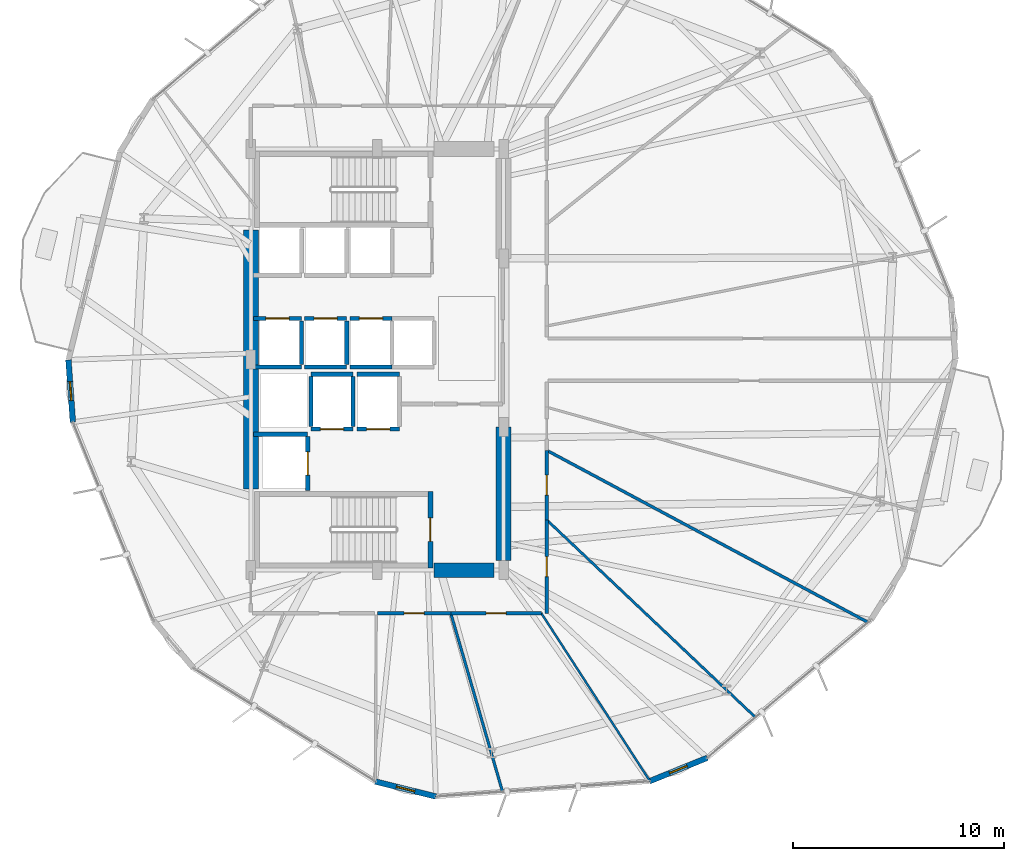
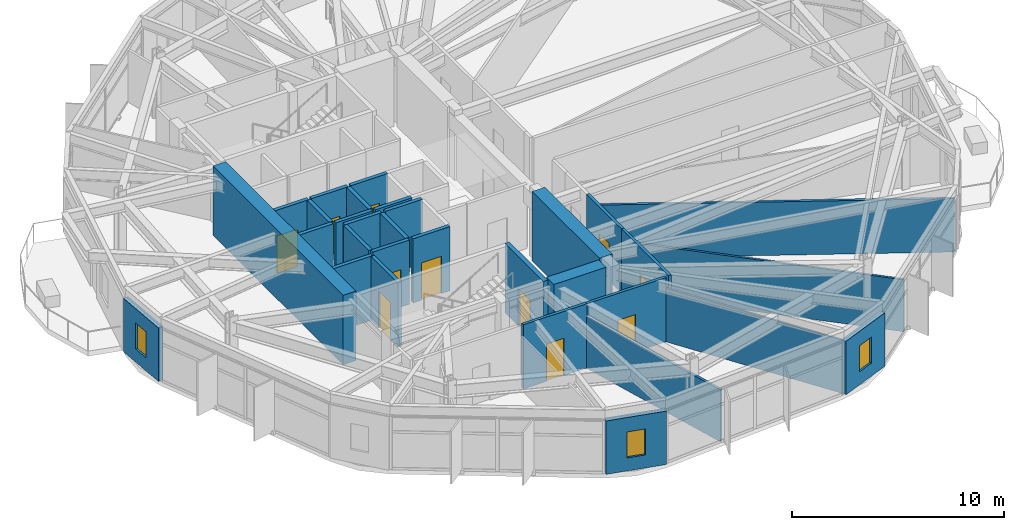
# One storey, part 16 of 22: 31 walls, 11 doors, 3 windows, 14 openings.
"""IFC4 building model written with IfcOpenShell, lengths in metres."""

from ifc_helpers import new_model, si_unit, direction, frame, frame_2d, origin, place, context, subcontext, project, spatial, rectangle, extrude, material, layer, layer_set, type_object, element, fill, save


model = new_model("IFC4")

# Units and contexts
model_context = context("Model", 3, precision=1e-05, world=origin(), true_north=direction((0.0, 1.0)))
body_context = subcontext(model_context, "Body", "Model", "MODEL_VIEW")
ifc_project = project(units=[si_unit("LENGTHUNIT", "METRE"), si_unit("AREAUNIT", "SQUARE_METRE"), si_unit("VOLUMEUNIT", "CUBIC_METRE"), si_unit("PLANEANGLEUNIT", "RADIAN"), si_unit("MASSUNIT", "GRAM", prefix="KILO")], contexts=[model_context])

# Site, building, storey
site_placement = place(None, origin())
site = spatial("IfcSite", under=ifc_project, at=site_placement, CompositionType="ELEMENT")
building_placement = place(site_placement, origin())
building = spatial("IfcBuilding", under=site, at=building_placement, Name="Soratama Intermodal Tower", CompositionType="ELEMENT")
storey_placement = place(building_placement, frame((0.0, 0.0, 42.60009765625)))
storey = spatial("IfcBuildingStorey", under=building, at=storey_placement, Name="L09", CompositionType="ELEMENT", Elevation=42.60009765625)

# Wall, opening, window
ifc_material_1 = material(Name="Concrete f'c 42 MPa", Category="concrete")
ifc_layer_1 = layer(ifc_material_1, 0.27001953125)
ifc_layer_set_1 = layer_set([ifc_layer_1], Name="Concrete f'c 42 MPa")
wall_type_1 = type_object("IfcWallType", Name="EW-CRN-270", PredefinedType="SOLIDWALL", material=ifc_layer_set_1)
wall_1_placement = place(storey_placement, frame((23.93505859375, 24.984619140625, 0.0), z_axis=(0.0, 0.0, 1.0), x_axis=(0.071100844018, -0.997469132344, 0.0)))
wall_1 = element("IfcWall", 1, at=wall_1_placement, inside=storey, type_object=wall_type_1, Name="L09 Corner Closure Wall 05", PredefinedType="SOLIDWALL", context=body_context, shape_type="SweptSolid", body=[
    extrude(rectangle(XDim=2.966796875, YDim=0.27001953125, at=frame_2d((1.4833984375, 0.0))), origin(), (0.0, 0.0, 1.0), 3.078857421875),
])
opening_1_placement = place(wall_1_placement, frame((1.033203125, 0.0, 0.75)))
opening_1 = element("IfcOpeningElement", 2, at=opening_1_placement, cuts=wall_1, Name="Opening WN-6", PredefinedType="OPENING", context=body_context, shape_type="SweptSolid", body=[
    extrude(rectangle(XDim=0.89990234375, YDim=1.5, at=frame_2d((0.449951171875, 0.75))), frame((0.0, 0.14501953125, 0.0), z_axis=(0.0, -1.0, 0.0), x_axis=(1.0, 0.0, 0.0)), (0.0, 0.0, 1.0), 0.2900390625),
])
ifc_material_2 = material(Name="Double-glazed aluminium window", Category="aluminium")
window_type = type_object("IfcWindowType", Name="WN-FAC-900", PartitioningType="SINGLE_PANEL", PredefinedType="WINDOW", material=ifc_material_2)
window_1_placement = place(opening_1_placement, origin())
window_1 = element("IfcWindow", 3, at=window_1_placement, inside=storey, type_object=window_type, Name="L09 Corner Window 05", OverallHeight=1.5, OverallWidth=0.89990234375, PartitioningType="SINGLE_PANEL", PredefinedType="WINDOW", context=body_context, shape_type="SweptSolid", body=[
    extrude(rectangle(XDim=0.89990234375, YDim=1.5, at=frame_2d((0.449951171875, 0.75))), frame((0.0, 0.030029296875, 0.0), z_axis=(0.0, -1.0, 0.0), x_axis=(1.0, 0.0, 0.0)), (0.0, 0.0, 1.0), 0.06005859375),
])
fill(opening_1, window_1)

wall_2_placement = place(storey_placement, frame((38.50537109375, 4.961181640625, 0.0), z_axis=(0.0, 0.0, 1.0), x_axis=(0.970634283387, -0.240559946612, 0.0)))
wall_2 = element("IfcWall", 4, at=wall_2_placement, inside=storey, type_object=wall_type_1, Name="L09 Corner Closure Wall 07", PredefinedType="SOLIDWALL", context=body_context, shape_type="SweptSolid", body=[
    extrude(rectangle(XDim=2.966552734375, YDim=0.27001953125, at=frame_2d((1.4833984375, 0.0))), origin(), (0.0, 0.0, 1.0), 3.078857421875),
])
opening_2_placement = place(wall_2_placement, frame((1.033203125, 0.0, 0.75)))
opening_2 = element("IfcOpeningElement", 5, at=opening_2_placement, cuts=wall_2, Name="Opening WN-6", PredefinedType="OPENING", context=body_context, shape_type="SweptSolid", body=[
    extrude(rectangle(XDim=0.89990234375, YDim=1.5, at=frame_2d((0.449951171875, 0.75))), frame((0.0, 0.14501953125, 0.0), z_axis=(0.0, -1.0, 0.0), x_axis=(1.0, 0.0, 0.0)), (0.0, 0.0, 1.0), 0.2900390625),
])
window_2_placement = place(opening_2_placement, origin())
window_2 = element("IfcWindow", 6, at=window_2_placement, inside=storey, type_object=window_type, Name="L09 Corner Window 07", OverallHeight=1.5, OverallWidth=0.89990234375, PartitioningType="SINGLE_PANEL", PredefinedType="WINDOW", context=body_context, shape_type="SweptSolid", body=[
    extrude(rectangle(XDim=0.89990234375, YDim=1.5, at=frame_2d((0.449951171875, 0.75))), frame((0.0, 0.030029296875, 0.0), z_axis=(0.0, -1.0, 0.0), x_axis=(1.0, 0.0, 0.0)), (0.0, 0.0, 1.0), 0.06005859375),
])
fill(opening_2, window_2)

wall_3_placement = place(storey_placement, frame((51.524169921875, 4.970703125, 0.0), z_axis=(0.0, 0.0, 1.0), x_axis=(0.926649408299, 0.375926687132, 0.0)))
wall_3 = element("IfcWall", 7, at=wall_3_placement, inside=storey, type_object=wall_type_1, Name="L09 Corner Closure Wall 08", PredefinedType="SOLIDWALL", context=body_context, shape_type="SweptSolid", body=[
    extrude(rectangle(XDim=2.966552734375, YDim=0.27001953125, at=frame_2d((1.4833984375, 0.0))), origin(), (0.0, 0.0, 1.0), 3.078857421875),
])
opening_3_placement = place(wall_3_placement, frame((1.033203125, 0.0, 0.75)))
opening_3 = element("IfcOpeningElement", 8, at=opening_3_placement, cuts=wall_3, Name="Opening WN-6", PredefinedType="OPENING", context=body_context, shape_type="SweptSolid", body=[
    extrude(rectangle(XDim=0.89990234375, YDim=1.5, at=frame_2d((0.449951171875, 0.75))), frame((0.0, 0.14501953125, 0.0), z_axis=(0.0, -1.0, 0.0), x_axis=(1.0, 0.0, 0.0)), (0.0, 0.0, 1.0), 0.2900390625),
])
window_3_placement = place(opening_3_placement, origin())
window_3 = element("IfcWindow", 9, at=window_3_placement, inside=storey, type_object=window_type, Name="L09 Corner Window 08", OverallHeight=1.5, OverallWidth=0.89990234375, PartitioningType="SINGLE_PANEL", PredefinedType="WINDOW", context=body_context, shape_type="SweptSolid", body=[
    extrude(rectangle(XDim=0.89990234375, YDim=1.5, at=frame_2d((0.449951171875, 0.75))), frame((0.0, 0.030029296875, 0.0), z_axis=(0.0, -1.0, 0.0), x_axis=(1.0, 0.0, 0.0)), (0.0, 0.0, 1.0), 0.06005859375),
])
fill(opening_3, window_3)

# Wall, opening, door
ifc_material_3 = material(Name="Fire-rated gypsum stud partition", Category="concrete")
ifc_layer_2 = layer(ifc_material_3, 0.159912109375)
ifc_layer_set_2 = layer_set([ifc_layer_2], Name="Fire-rated gypsum stud partition")
wall_type_2 = type_object("IfcWallType", Name="IW-PART-R160", PredefinedType="PARTITIONING", material=ifc_layer_set_2)
wall_4_placement = place(storey_placement, frame((46.64990234375, 17.385009765625, 0.0), z_axis=(0.0, 0.0, 1.0), x_axis=(0.0, -1.0, 0.0)))
wall_4 = element("IfcWall", 10, at=wall_4_placement, inside=storey, type_object=wall_type_2, Name="L09 Partition W-L09-TP020", PredefinedType="PARTITIONING", context=body_context, shape_type="SweptSolid", body=[
    extrude(rectangle(XDim=4.43505859375, YDim=0.159912109375, at=frame_2d((2.217529296875, 0.0))), origin(), (0.0, 0.0, 1.0), 3.699951171875),
])
opening_4_placement = place(wall_4_placement, frame((1.742919921875, 0.0, 0.0)))
opening_4 = element("IfcOpeningElement", 11, at=opening_4_placement, cuts=wall_4, Name="Opening ID-3", PredefinedType="OPENING", context=body_context, shape_type="SweptSolid", body=[
    extrude(rectangle(XDim=0.949951171875, YDim=2.14990234375, at=frame_2d((0.47509765625, 1.074951171875))), frame((0.0, 0.08984375, 0.0), z_axis=(0.0, -1.0, 0.0), x_axis=(1.0, 0.0, 0.0)), (0.0, 0.0, 1.0), 0.179931640625),
])
ifc_material_4 = material(Name="Solid hardwood acoustic door", Category="wood")
door_type_1 = type_object("IfcDoorType", Name="DR-ROOM-950", OperationType="NOTDEFINED", PredefinedType="DOOR", material=ifc_material_4)
door_1_placement = place(opening_4_placement, origin())
door_1 = element("IfcDoor", 12, at=door_1_placement, inside=storey, type_object=door_type_1, Name="L09 Door D-L09-TP006", OperationType="SINGLE_SWING_LEFT", OverallHeight=2.14990234375, OverallWidth=0.949951171875, PredefinedType="DOOR", context=body_context, shape_type="SweptSolid", body=[
    extrude(rectangle(XDim=0.949951171875, YDim=2.14990234375, at=frame_2d((0.47509765625, 1.074951171875))), frame((0.0, 0.02490234375, 0.0), z_axis=(0.0, -1.0, 0.0), x_axis=(1.0, 0.0, 0.0)), (0.0, 0.0, 1.0), 0.050048828125),
])
fill(opening_4, door_1)

wall_5_placement = place(storey_placement, frame((46.39501953125, 12.949951171875, 0.0), z_axis=(0.0, 0.0, 1.0), x_axis=(-1.0, 0.0, 0.0)))
wall_5 = element("IfcWall", 13, at=wall_5_placement, inside=storey, type_object=wall_type_2, Name="L09 Partition W-L09-TP022", PredefinedType="PARTITIONING", context=body_context, shape_type="SweptSolid", body=[
    extrude(rectangle(XDim=4.301025390625, YDim=0.159912109375, at=frame_2d((2.150390625, 0.0))), origin(), (0.0, 0.0, 1.0), 3.699951171875),
])
opening_5_placement = place(wall_5_placement, frame((1.676025390625, 0.0, 0.0)))
opening_5 = element("IfcOpeningElement", 14, at=opening_5_placement, cuts=wall_5, Name="Opening ID-3", PredefinedType="OPENING", context=body_context, shape_type="SweptSolid", body=[
    extrude(rectangle(XDim=0.949951171875, YDim=2.14990234375, at=frame_2d((0.47509765625, 1.074951171875))), frame((0.0, 0.08984375, 0.0), z_axis=(0.0, -1.0, 0.0), x_axis=(1.0, 0.0, 0.0)), (0.0, 0.0, 1.0), 0.179931640625),
])
door_2_placement = place(opening_5_placement, origin())
door_2 = element("IfcDoor", 15, at=door_2_placement, inside=storey, type_object=door_type_1, Name="L09 Door D-L09-TP008", OperationType="SINGLE_SWING_LEFT", OverallHeight=2.14990234375, OverallWidth=0.949951171875, PredefinedType="DOOR", context=body_context, shape_type="SweptSolid", body=[
    extrude(rectangle(XDim=0.949951171875, YDim=2.14990234375, at=frame_2d((0.47509765625, 1.074951171875))), frame((0.0, 0.02490234375, 0.0), z_axis=(0.0, -1.0, 0.0), x_axis=(1.0, 0.0, 0.0)), (0.0, 0.0, 1.0), 0.050048828125),
])
fill(opening_5, door_2)

wall_6_placement = place(storey_placement, frame((42.093994140625, 12.949951171875, 0.0), z_axis=(0.0, 0.0, 1.0), x_axis=(-1.0, 0.0, 0.0)))
wall_6 = element("IfcWall", 16, at=wall_6_placement, inside=storey, type_object=wall_type_2, Name="L09 Partition W-L09-TP025", PredefinedType="PARTITIONING", context=body_context, shape_type="SweptSolid", body=[
    extrude(rectangle(XDim=3.47509765625, YDim=0.159912109375, at=frame_2d((1.737548828125, 0.0))), origin(), (0.0, 0.0, 1.0), 3.699951171875),
])
opening_6_placement = place(wall_6_placement, frame((1.262939453125, 0.0, 0.0)))
opening_6 = element("IfcOpeningElement", 17, at=opening_6_placement, cuts=wall_6, Name="Opening ID-3", PredefinedType="OPENING", context=body_context, shape_type="SweptSolid", body=[
    extrude(rectangle(XDim=0.949951171875, YDim=2.14990234375, at=frame_2d((0.47509765625, 1.074951171875))), frame((0.0, 0.08984375, 0.0), z_axis=(0.0, -1.0, 0.0), x_axis=(1.0, 0.0, 0.0)), (0.0, 0.0, 1.0), 0.179931640625),
])
door_3_placement = place(opening_6_placement, origin())
door_3 = element("IfcDoor", 18, at=door_3_placement, inside=storey, type_object=door_type_1, Name="L09 Door D-L09-TP011", OperationType="SINGLE_SWING_RIGHT", OverallHeight=2.14990234375, OverallWidth=0.949951171875, PredefinedType="DOOR", context=body_context, shape_type="SweptSolid", body=[
    extrude(rectangle(XDim=0.949951171875, YDim=2.14990234375, at=frame_2d((0.47509765625, 1.074951171875))), frame((0.0, 0.02490234375, 0.0), z_axis=(0.0, -1.0, 0.0), x_axis=(1.0, 0.0, 0.0)), (0.0, 0.0, 1.0), 0.050048828125),
])
fill(opening_6, door_3)

wall_7_placement = place(storey_placement, frame((46.64990234375, 20.68896484375, 0.0), z_axis=(0.0, 0.0, 1.0), x_axis=(0.0, -1.0, 0.0)))
wall_7 = element("IfcWall", 19, at=wall_7_placement, inside=storey, type_object=wall_type_2, Name="L09 Partition W-L09-TP027", PredefinedType="PARTITIONING", context=body_context, shape_type="SweptSolid", body=[
    extrude(rectangle(XDim=3.303955078125, YDim=0.159912109375, at=frame_2d((1.65185546875, 0.0))), origin(), (0.0, 0.0, 1.0), 3.699951171875),
])
opening_7_placement = place(wall_7_placement, frame((1.177001953125, 0.0, 0.0)))
opening_7 = element("IfcOpeningElement", 20, at=opening_7_placement, cuts=wall_7, Name="Opening ID-3", PredefinedType="OPENING", context=body_context, shape_type="SweptSolid", body=[
    extrude(rectangle(XDim=0.949951171875, YDim=2.14990234375, at=frame_2d((0.47509765625, 1.074951171875))), frame((0.0, 0.08984375, 0.0), z_axis=(0.0, -1.0, 0.0), x_axis=(1.0, 0.0, 0.0)), (0.0, 0.0, 1.0), 0.179931640625),
])
door_4_placement = place(opening_7_placement, origin())
door_4 = element("IfcDoor", 21, at=door_4_placement, inside=storey, type_object=door_type_1, Name="L09 Door D-L09-TP013", OperationType="SINGLE_SWING_RIGHT", OverallHeight=2.14990234375, OverallWidth=0.949951171875, PredefinedType="DOOR", context=body_context, shape_type="SweptSolid", body=[
    extrude(rectangle(XDim=0.949951171875, YDim=2.14990234375, at=frame_2d((0.47509765625, 1.074951171875))), frame((0.0, 0.02490234375, 0.0), z_axis=(0.0, -1.0, 0.0), x_axis=(1.0, 0.0, 0.0)), (0.0, 0.0, 1.0), 0.050048828125),
])
fill(opening_7, door_4)

# Walls
ifc_material_5 = material(Name="Fire-rated gypsum stud partition", Category="concrete")
ifc_layer_3 = layer(ifc_material_5, 0.10009765625)
ifc_layer_set_3 = layer_set([ifc_layer_3], Name="Fire-rated gypsum stud partition")
wall_type_3 = type_object("IfcWallType", Name="IW-PART-S100", PredefinedType="PARTITIONING", material=ifc_layer_set_3)
wall_8_placement = place(storey_placement, frame((46.39501953125, 12.949951171875, 0.0), z_axis=(0.0, 0.0, 1.0), x_axis=(0.543178785991, -0.839617059408, 0.0)))
element("IfcWall", 22, at=wall_8_placement, inside=storey, type_object=wall_type_3, Name="L09 Partition W-L09-TP009", PredefinedType="PARTITIONING", context=body_context, shape_type="SweptSolid", body=[
    extrude(rectangle(XDim=9.495849609375, YDim=0.10009765625, at=frame_2d((4.748046875, 0.0))), origin(), (0.0, 0.0, 1.0), 3.077880859375),
])
ifc_material_6 = material(Name="Fire-rated gypsum stud partition", Category="concrete")
ifc_layer_4 = layer(ifc_material_6, 0.1201171875)
ifc_layer_set_4 = layer_set([ifc_layer_4], Name="Fire-rated gypsum stud partition")
wall_type_4 = type_object("IfcWallType", Name="IW-PART-S120", PredefinedType="PARTITIONING", material=ifc_layer_set_4)
wall_9_placement = place(storey_placement, frame((46.64990234375, 17.385009765625, 0.0), z_axis=(0.0, 0.0, 1.0), x_axis=(0.726449099084, -0.68722027505, 0.0)))
element("IfcWall", 23, at=wall_9_placement, inside=storey, type_object=wall_type_4, Name="L09 Partition W-L09-TP007", PredefinedType="PARTITIONING", context=body_context, shape_type="SweptSolid", body=[
    extrude(rectangle(XDim=13.641845703125, YDim=0.1201171875, at=frame_2d((6.82080078125, 0.0))), origin(), (0.0, 0.0, 1.0), 2.994873046875),
])
ifc_material_7 = material(Name="Fire-rated gypsum stud partition", Category="concrete")
ifc_layer_5 = layer(ifc_material_7, 0.1298828125)
ifc_layer_set_5 = layer_set([ifc_layer_5], Name="Fire-rated gypsum stud partition")
wall_type_5 = type_object("IfcWallType", Name="IW-PART-S130", PredefinedType="PARTITIONING", material=ifc_layer_set_5)
wall_10_placement = place(storey_placement, frame((42.093994140625, 12.949951171875, 0.0), z_axis=(0.0, 0.0, 1.0), x_axis=(0.278489239335, -0.960439349243, 0.0)))
element("IfcWall", 24, at=wall_10_placement, inside=storey, type_object=wall_type_5, Name="L09 Partition W-L09-TP011", PredefinedType="PARTITIONING", context=body_context, shape_type="SweptSolid", body=[
    extrude(rectangle(XDim=8.826171875, YDim=0.1298828125, at=frame_2d((4.4130859375, 0.0))), origin(), (0.0, 0.0, 1.0), 2.994873046875),
])
ifc_material_8 = material(Name="Fire-rated gypsum stud partition", Category="concrete")
ifc_layer_6 = layer(ifc_material_8, 0.139892578125)
ifc_layer_set_6 = layer_set([ifc_layer_6], Name="Fire-rated gypsum stud partition")
wall_type_6 = type_object("IfcWallType", Name="IW-PART-S140", PredefinedType="PARTITIONING", material=ifc_layer_set_6)
wall_11_placement = place(storey_placement, frame((46.64990234375, 20.68896484375, 0.0), z_axis=(0.0, 0.0, 1.0), x_axis=(0.881597742857, -0.472001504012, 0.0)))
element("IfcWall", 25, at=wall_11_placement, inside=storey, type_object=wall_type_6, Name="L09 Partition W-L09-TP005", PredefinedType="PARTITIONING", context=body_context, shape_type="SweptSolid", body=[
    extrude(rectangle(XDim=17.3154296875, YDim=0.139892578125, at=frame_2d((8.65771484375, 0.0))), origin(), (0.0, 0.0, 1.0), 3.077880859375),
])

# Wall, opening, door
ifc_material_9 = material(Name="Concrete f'c 42 MPa", Category="concrete")
ifc_layer_7 = layer(ifc_material_9, 0.199951171875)
ifc_layer_set_7 = layer_set([ifc_layer_7], Name="Concrete f'c 42 MPa")
wall_type_7 = type_object("IfcWallType", Name="IW-SHAFT-200", PredefinedType="SOLIDWALL", material=ifc_layer_set_7)
wall_12_placement = place(storey_placement, frame((35.449951171875, 21.699951171875, 0.0), z_axis=(0.0, 0.0, 1.0), x_axis=(1.0, 0.0, 0.0)))
wall_12 = element("IfcWall", 26, at=wall_12_placement, inside=storey, type_object=wall_type_7, Name="L09 FFL-1 Hoistway Wall S", PredefinedType="SOLIDWALL", context=body_context, shape_type="SweptSolid", body=[
    extrude(rectangle(XDim=2.0, YDim=0.199951171875, at=frame_2d((1.0, 0.0))), origin(), (0.0, 0.0, 1.0), 3.699951171875),
])
opening_8_placement = place(wall_12_placement, frame((0.449951171875, 0.0, 0.0)))
opening_8 = element("IfcOpeningElement", 27, at=opening_8_placement, cuts=wall_12, Name="Opening LD-1", PredefinedType="OPENING", context=body_context, shape_type="SweptSolid", body=[
    extrude(rectangle(XDim=1.10009765625, YDim=2.14990234375, at=frame_2d((0.550048828125, 1.074951171875))), frame((0.0, 0.10986328125, 0.0), z_axis=(0.0, -1.0, 0.0), x_axis=(1.0, 0.0, 0.0)), (0.0, 0.0, 1.0), 0.219970703125),
])
ifc_material_10 = material(Name="Steel fire door", Category="steel")
door_type_2 = type_object("IfcDoorType", Name="DR-LIFT-SLIDE", OperationType="NOTDEFINED", PredefinedType="DOOR", material=ifc_material_10)
door_5_placement = place(opening_8_placement, origin())
door_5 = element("IfcDoor", 28, at=door_5_placement, inside=storey, type_object=door_type_2, Name="L09 FFL-1 Sliding Landing Door", OperationType="SLIDING_TO_LEFT", OverallHeight=2.14990234375, OverallWidth=1.10009765625, PredefinedType="DOOR", context=body_context, shape_type="SweptSolid", body=[
    extrude(rectangle(XDim=1.10009765625, YDim=2.14990234375, at=frame_2d((0.550048828125, 1.074951171875))), frame((0.0, 0.02490234375, 0.0), z_axis=(0.0, -1.0, 0.0), x_axis=(1.0, 0.0, 0.0)), (0.0, 0.0, 1.0), 0.050048828125),
])
fill(opening_8, door_5)

# Walls
wall_13_placement = place(storey_placement, frame((35.449951171875, 24.300048828125, 0.0), z_axis=(0.0, 0.0, 1.0), x_axis=(1.0, 0.0, 0.0)))
element("IfcWall", 29, at=wall_13_placement, inside=storey, type_object=wall_type_7, Name="L09 FFL-1 Hoistway Wall N", PredefinedType="SOLIDWALL", context=body_context, shape_type="SweptSolid", body=[
    extrude(rectangle(XDim=2.0, YDim=0.199951171875, at=frame_2d((1.0, 0.0))), origin(), (0.0, 0.0, 1.0), 3.699951171875),
])
for number, where, z_axis, x_axis, name in (
    (30, (35.449951171875, 21.81005859375, 0.0), (0.0, 0.0, 1.0), (0.0, 1.0, 0.0), "L09 FFL-1 Hoistway Wall W"),
    (31, (37.449951171875, 21.81005859375, 0.0), (0.0, 0.0, 1.0), (0.0, 1.0, 0.0), "L09 FFL-1 Hoistway Wall E"),
):
    element("IfcWall", number, at=place(storey_placement, frame(where, z_axis=z_axis, x_axis=x_axis)), inside=storey, type_object=wall_type_7, Name=name, PredefinedType="SOLIDWALL", context=body_context, shape_type="SweptSolid", body=[
        extrude(rectangle(XDim=2.3798828125, YDim=0.199951171875, at=frame_2d((1.18994140625, 0.0))), origin(), (0.0, 0.0, 1.0), 3.699951171875),
    ])

# Wall, opening, door
wall_14_placement = place(storey_placement, frame((37.64990234375, 21.699951171875, 0.0), z_axis=(0.0, 0.0, 1.0), x_axis=(1.0, 0.0, 0.0)))
wall_14 = element("IfcWall", 32, at=wall_14_placement, inside=storey, type_object=wall_type_7, Name="L09 FFL-2 Hoistway Wall S", PredefinedType="SOLIDWALL", context=body_context, shape_type="SweptSolid", body=[
    extrude(rectangle(XDim=2.0, YDim=0.199951171875, at=frame_2d((1.0, 0.0))), origin(), (0.0, 0.0, 1.0), 3.699951171875),
])
opening_9_placement = place(wall_14_placement, frame((0.449951171875, 0.0, 0.0)))
opening_9 = element("IfcOpeningElement", 33, at=opening_9_placement, cuts=wall_14, Name="Opening LD-1", PredefinedType="OPENING", context=body_context, shape_type="SweptSolid", body=[
    extrude(rectangle(XDim=1.10009765625, YDim=2.14990234375, at=frame_2d((0.550048828125, 1.074951171875))), frame((0.0, 0.10986328125, 0.0), z_axis=(0.0, -1.0, 0.0), x_axis=(1.0, 0.0, 0.0)), (0.0, 0.0, 1.0), 0.219970703125),
])
door_6_placement = place(opening_9_placement, origin())
door_6 = element("IfcDoor", 34, at=door_6_placement, inside=storey, type_object=door_type_2, Name="L09 FFL-2 Sliding Landing Door", OperationType="SLIDING_TO_LEFT", OverallHeight=2.14990234375, OverallWidth=1.10009765625, PredefinedType="DOOR", context=body_context, shape_type="SweptSolid", body=[
    extrude(rectangle(XDim=1.10009765625, YDim=2.14990234375, at=frame_2d((0.550048828125, 1.074951171875))), frame((0.0, 0.02490234375, 0.0), z_axis=(0.0, -1.0, 0.0), x_axis=(1.0, 0.0, 0.0)), (0.0, 0.0, 1.0), 0.050048828125),
])
fill(opening_9, door_6)

# Walls
wall_15_placement = place(storey_placement, frame((37.64990234375, 24.300048828125, 0.0), z_axis=(0.0, 0.0, 1.0), x_axis=(1.0, 0.0, 0.0)))
element("IfcWall", 35, at=wall_15_placement, inside=storey, type_object=wall_type_7, Name="L09 FFL-2 Hoistway Wall N", PredefinedType="SOLIDWALL", context=body_context, shape_type="SweptSolid", body=[
    extrude(rectangle(XDim=2.0, YDim=0.199951171875, at=frame_2d((1.0, 0.0))), origin(), (0.0, 0.0, 1.0), 3.699951171875),
])
wall_16_placement = place(storey_placement, frame((32.719970703125, 21.449951171875, 0.0), z_axis=(0.0, 0.0, 1.0), x_axis=(1.0, 0.0, 0.0)))
element("IfcWall", 36, at=wall_16_placement, inside=storey, type_object=wall_type_7, Name="L09 SVL-1 Hoistway Wall N", PredefinedType="SOLIDWALL", context=body_context, shape_type="SweptSolid", body=[
    extrude(rectangle(XDim=2.580078125, YDim=0.199951171875, at=frame_2d((1.2900390625, 0.0))), origin(), (0.0, 0.0, 1.0), 3.699951171875),
])

# Wall, opening, door
wall_17_placement = place(storey_placement, frame((35.300048828125, 18.7900390625, 0.0), z_axis=(0.0, 0.0, 1.0), x_axis=(0.0, 1.0, 0.0)))
wall_17 = element("IfcWall", 37, at=wall_17_placement, inside=storey, type_object=wall_type_7, Name="L09 SVL-1 Hoistway Wall E", PredefinedType="SOLIDWALL", context=body_context, shape_type="SweptSolid", body=[
    extrude(rectangle(XDim=2.550048828125, YDim=0.199951171875, at=frame_2d((1.27490234375, 0.0))), origin(), (0.0, 0.0, 1.0), 3.699951171875),
])
opening_10_placement = place(wall_17_placement, frame((0.72509765625, 0.0, 0.0)))
opening_10 = element("IfcOpeningElement", 38, at=opening_10_placement, cuts=wall_17, Name="Opening LD-1", PredefinedType="OPENING", context=body_context, shape_type="SweptSolid", body=[
    extrude(rectangle(XDim=1.10009765625, YDim=2.14990234375, at=frame_2d((0.550048828125, 1.074951171875))), frame((0.0, 0.10986328125, 0.0), z_axis=(0.0, -1.0, 0.0), x_axis=(1.0, 0.0, 0.0)), (0.0, 0.0, 1.0), 0.219970703125),
])
door_7_placement = place(opening_10_placement, origin())
door_7 = element("IfcDoor", 39, at=door_7_placement, inside=storey, type_object=door_type_2, Name="L09 SVL-1 Sliding Landing Door", OperationType="SLIDING_TO_LEFT", OverallHeight=2.14990234375, OverallWidth=1.10009765625, PredefinedType="DOOR", context=body_context, shape_type="SweptSolid", body=[
    extrude(rectangle(XDim=1.10009765625, YDim=2.14990234375, at=frame_2d((0.550048828125, 1.074951171875))), frame((0.0, 0.02490234375, 0.0), z_axis=(0.0, -1.0, 0.0), x_axis=(1.0, 0.0, 0.0)), (0.0, 0.0, 1.0), 0.050048828125),
])
fill(opening_10, door_7)

# Wall
wall_18_placement = place(storey_placement, frame((32.719970703125, 24.64990234375, 0.0), z_axis=(0.0, 0.0, 1.0), x_axis=(1.0, 0.0, 0.0)))
element("IfcWall", 40, at=wall_18_placement, inside=storey, type_object=wall_type_7, Name="L09 PL-L1 Hoistway Wall S", PredefinedType="SOLIDWALL", context=body_context, shape_type="SweptSolid", body=[
    extrude(rectangle(XDim=2.280029296875, YDim=0.199951171875, at=frame_2d((1.14013671875, 0.0))), origin(), (0.0, 0.0, 1.0), 3.699951171875),
])

# Wall, opening, door
wall_19_placement = place(storey_placement, frame((32.719970703125, 26.949951171875, 0.0), z_axis=(0.0, 0.0, 1.0), x_axis=(1.0, 0.0, 0.0)))
wall_19 = element("IfcWall", 41, at=wall_19_placement, inside=storey, type_object=wall_type_7, Name="L09 PL-L1 Hoistway Wall N", PredefinedType="SOLIDWALL", context=body_context, shape_type="SweptSolid", body=[
    extrude(rectangle(XDim=2.280029296875, YDim=0.199951171875, at=frame_2d((1.14013671875, 0.0))), origin(), (0.0, 0.0, 1.0), 3.699951171875),
])
opening_11_placement = place(wall_19_placement, frame((0.590087890625, 0.0, 0.0)))
opening_11 = element("IfcOpeningElement", 42, at=opening_11_placement, cuts=wall_19, Name="Opening LD-1", PredefinedType="OPENING", context=body_context, shape_type="SweptSolid", body=[
    extrude(rectangle(XDim=1.10009765625, YDim=2.14990234375, at=frame_2d((0.550048828125, 1.074951171875))), frame((0.0, 0.10986328125, 0.0), z_axis=(0.0, -1.0, 0.0), x_axis=(1.0, 0.0, 0.0)), (0.0, 0.0, 1.0), 0.219970703125),
])
door_8_placement = place(opening_11_placement, origin())
door_8 = element("IfcDoor", 43, at=door_8_placement, inside=storey, type_object=door_type_2, Name="L09 PL-L1 Sliding Landing Door", OperationType="SLIDING_TO_LEFT", OverallHeight=2.14990234375, OverallWidth=1.10009765625, PredefinedType="DOOR", context=body_context, shape_type="SweptSolid", body=[
    extrude(rectangle(XDim=1.10009765625, YDim=2.14990234375, at=frame_2d((0.550048828125, 1.074951171875))), frame((0.0, 0.02490234375, 0.0), z_axis=(0.0, -1.0, 0.0), x_axis=(1.0, 0.0, 0.0)), (0.0, 0.0, 1.0), 0.050048828125),
])
fill(opening_11, door_8)

# Walls
wall_20_placement = place(storey_placement, frame((35.0, 24.760009765625, 0.0), z_axis=(0.0, 0.0, 1.0), x_axis=(0.0, 1.0, 0.0)))
element("IfcWall", 44, at=wall_20_placement, inside=storey, type_object=wall_type_7, Name="L09 PL-L1 Hoistway Wall E", PredefinedType="SOLIDWALL", context=body_context, shape_type="SweptSolid", body=[
    extrude(rectangle(XDim=2.080078125, YDim=0.199951171875, at=frame_2d((1.0400390625, 0.0))), origin(), (0.0, 0.0, 1.0), 3.699951171875),
])
wall_21_placement = place(storey_placement, frame((35.14990234375, 24.64990234375, 0.0), z_axis=(0.0, 0.0, 1.0), x_axis=(1.0, 0.0, 0.0)))
element("IfcWall", 45, at=wall_21_placement, inside=storey, type_object=wall_type_7, Name="L09 PL-L2 Hoistway Wall S", PredefinedType="SOLIDWALL", context=body_context, shape_type="SweptSolid", body=[
    extrude(rectangle(XDim=2.0, YDim=0.199951171875, at=frame_2d((1.0, 0.0))), origin(), (0.0, 0.0, 1.0), 3.699951171875),
])

# Wall, opening, door
wall_22_placement = place(storey_placement, frame((35.14990234375, 26.949951171875, 0.0), z_axis=(0.0, 0.0, 1.0), x_axis=(1.0, 0.0, 0.0)))
wall_22 = element("IfcWall", 46, at=wall_22_placement, inside=storey, type_object=wall_type_7, Name="L09 PL-L2 Hoistway Wall N", PredefinedType="SOLIDWALL", context=body_context, shape_type="SweptSolid", body=[
    extrude(rectangle(XDim=2.0, YDim=0.199951171875, at=frame_2d((1.0, 0.0))), origin(), (0.0, 0.0, 1.0), 3.699951171875),
])
opening_12_placement = place(wall_22_placement, frame((0.449951171875, 0.0, 0.0)))
opening_12 = element("IfcOpeningElement", 47, at=opening_12_placement, cuts=wall_22, Name="Opening LD-1", PredefinedType="OPENING", context=body_context, shape_type="SweptSolid", body=[
    extrude(rectangle(XDim=1.10009765625, YDim=2.14990234375, at=frame_2d((0.550048828125, 1.074951171875))), frame((0.0, 0.10986328125, 0.0), z_axis=(0.0, -1.0, 0.0), x_axis=(1.0, 0.0, 0.0)), (0.0, 0.0, 1.0), 0.219970703125),
])
door_9_placement = place(opening_12_placement, origin())
door_9 = element("IfcDoor", 48, at=door_9_placement, inside=storey, type_object=door_type_2, Name="L09 PL-L2 Sliding Landing Door", OperationType="SLIDING_TO_LEFT", OverallHeight=2.14990234375, OverallWidth=1.10009765625, PredefinedType="DOOR", context=body_context, shape_type="SweptSolid", body=[
    extrude(rectangle(XDim=1.10009765625, YDim=2.14990234375, at=frame_2d((0.550048828125, 1.074951171875))), frame((0.0, 0.02490234375, 0.0), z_axis=(0.0, -1.0, 0.0), x_axis=(1.0, 0.0, 0.0)), (0.0, 0.0, 1.0), 0.050048828125),
])
fill(opening_12, door_9)

# Walls
wall_23_placement = place(storey_placement, frame((37.14990234375, 24.760009765625, 0.0), z_axis=(0.0, 0.0, 1.0), x_axis=(0.0, 1.0, 0.0)))
element("IfcWall", 49, at=wall_23_placement, inside=storey, type_object=wall_type_7, Name="L09 PL-L2 Hoistway Wall E", PredefinedType="SOLIDWALL", context=body_context, shape_type="SweptSolid", body=[
    extrude(rectangle(XDim=2.080078125, YDim=0.199951171875, at=frame_2d((1.0400390625, 0.0))), origin(), (0.0, 0.0, 1.0), 3.699951171875),
])
wall_24_placement = place(storey_placement, frame((37.300048828125, 24.64990234375, 0.0), z_axis=(0.0, 0.0, 1.0), x_axis=(1.0, 0.0, 0.0)))
element("IfcWall", 50, at=wall_24_placement, inside=storey, type_object=wall_type_7, Name="L09 PL-L3 Hoistway Wall S", PredefinedType="SOLIDWALL", context=body_context, shape_type="SweptSolid", body=[
    extrude(rectangle(XDim=2.0, YDim=0.199951171875, at=frame_2d((1.0, 0.0))), origin(), (0.0, 0.0, 1.0), 3.699951171875),
])

# Wall, opening, door
wall_25_placement = place(storey_placement, frame((37.300048828125, 26.949951171875, 0.0), z_axis=(0.0, 0.0, 1.0), x_axis=(1.0, 0.0, 0.0)))
wall_25 = element("IfcWall", 51, at=wall_25_placement, inside=storey, type_object=wall_type_7, Name="L09 PL-L3 Hoistway Wall N", PredefinedType="SOLIDWALL", context=body_context, shape_type="SweptSolid", body=[
    extrude(rectangle(XDim=2.0, YDim=0.199951171875, at=frame_2d((1.0, 0.0))), origin(), (0.0, 0.0, 1.0), 3.699951171875),
])
opening_13_placement = place(wall_25_placement, frame((0.449951171875, 0.0, 0.0)))
opening_13 = element("IfcOpeningElement", 52, at=opening_13_placement, cuts=wall_25, Name="Opening LD-1", PredefinedType="OPENING", context=body_context, shape_type="SweptSolid", body=[
    extrude(rectangle(XDim=1.10009765625, YDim=2.14990234375, at=frame_2d((0.550048828125, 1.074951171875))), frame((0.0, 0.10986328125, 0.0), z_axis=(0.0, -1.0, 0.0), x_axis=(1.0, 0.0, 0.0)), (0.0, 0.0, 1.0), 0.219970703125),
])
door_10_placement = place(opening_13_placement, origin())
door_10 = element("IfcDoor", 53, at=door_10_placement, inside=storey, type_object=door_type_2, Name="L09 PL-L3 Sliding Landing Door", OperationType="SLIDING_TO_LEFT", OverallHeight=2.14990234375, OverallWidth=1.10009765625, PredefinedType="DOOR", context=body_context, shape_type="SweptSolid", body=[
    extrude(rectangle(XDim=1.10009765625, YDim=2.14990234375, at=frame_2d((0.550048828125, 1.074951171875))), frame((0.0, 0.02490234375, 0.0), z_axis=(0.0, -1.0, 0.0), x_axis=(1.0, 0.0, 0.0)), (0.0, 0.0, 1.0), 0.050048828125),
])
fill(opening_13, door_10)

# Walls
ifc_material_11 = material(Name="Concrete f'c 56 MPa", Category="concrete")
ifc_layer_8 = layer(ifc_material_11, 0.699951171875)
ifc_layer_set_8 = layer_set([ifc_layer_8], Name="Concrete f'c 56 MPa")
wall_type_8 = type_object("IfcWallType", Name="SW-CORE-700", PredefinedType="SHEAR", material=ifc_layer_set_8)
wall_26_placement = place(storey_placement, frame((32.60009765625, 18.85009765625, 0.0), z_axis=(0.0, 0.0, 1.0), x_axis=(0.0, 1.0, 0.0)))
element("IfcWall", 54, at=wall_26_placement, inside=storey, type_object=wall_type_8, Name="L09 Core Shear Wall CW-WMID", PredefinedType="SHEAR", context=body_context, shape_type="SweptSolid", body=[
    extrude(rectangle(XDim=12.2998046875, YDim=0.699951171875, at=frame_2d((6.14990234375, 0.0))), origin(), (0.0, 0.0, 1.0), 4.0),
])
wall_27_placement = place(storey_placement, frame((41.300048828125, 15.0, 0.0), z_axis=(0.0, 0.0, 1.0), x_axis=(1.0, 0.0, 0.0)))
element("IfcWall", 55, at=wall_27_placement, inside=storey, type_object=wall_type_8, Name="L09 Core Shear Wall CW-SE", PredefinedType="SHEAR", context=body_context, shape_type="SweptSolid", body=[
    extrude(rectangle(XDim=2.849853515625, YDim=0.699951171875, at=frame_2d((1.4248046875, 0.0))), origin(), (0.0, 0.0, 1.0), 4.0),
])
wall_28_placement = place(storey_placement, frame((44.60009765625, 15.449951171875, 0.0), z_axis=(0.0, 0.0, 1.0), x_axis=(0.0, 1.0, 0.0)))
element("IfcWall", 56, at=wall_28_placement, inside=storey, type_object=wall_type_8, Name="L09 Core Shear Wall CW-ES", PredefinedType="SHEAR", context=body_context, shape_type="SweptSolid", body=[
    extrude(rectangle(XDim=6.35009765625, YDim=0.699951171875, at=frame_2d((3.175048828125, 0.0))), origin(), (0.0, 0.0, 1.0), 4.0),
])

# Wall, opening, door
ifc_material_12 = material(Name="Concrete f'c 56 MPa", Category="concrete")
ifc_layer_9 = layer(ifc_material_12, 0.239990234375)
ifc_layer_set_9 = layer_set([ifc_layer_9], Name="Concrete f'c 56 MPa")
wall_type_9 = type_object("IfcWallType", Name="SW-STAIR-240", PredefinedType="SHEAR", material=ifc_layer_set_9)
wall_29_placement = place(storey_placement, frame((41.1201171875, 15.110107421875, 0.0), z_axis=(0.0, 0.0, 1.0), x_axis=(0.0, 1.0, 0.0)))
wall_29 = element("IfcWall", 57, at=wall_29_placement, inside=storey, type_object=wall_type_9, Name="L09 ST-1 Shaft Shear Wall E", PredefinedType="SHEAR", context=body_context, shape_type="SweptSolid", body=[
    extrude(rectangle(XDim=3.6298828125, YDim=0.239990234375, at=frame_2d((1.81494140625, 0.0))), origin(), (0.0, 0.0, 1.0), 4.0),
])
opening_14_placement = place(wall_29_placement, frame((1.2548828125, 0.0, 0.0)))
opening_14 = element("IfcOpeningElement", 58, at=opening_14_placement, cuts=wall_29, Name="Opening SD-1", PredefinedType="OPENING", context=body_context, shape_type="SweptSolid", body=[
    extrude(rectangle(XDim=1.1201171875, YDim=2.14990234375, at=frame_2d((0.56005859375, 1.074951171875))), frame((0.0, 0.1298828125, 0.0), z_axis=(0.0, -1.0, 0.0), x_axis=(1.0, 0.0, 0.0)), (0.0, 0.0, 1.0), 0.260009765625),
])
ifc_material_13 = material(Name="Steel fire door", Category="steel")
door_type_3 = type_object("IfcDoorType", Name="DR-STAIR-FD90", OperationType="NOTDEFINED", PredefinedType="DOOR", material=ifc_material_13)
door_11_placement = place(opening_14_placement, origin())
door_11 = element("IfcDoor", 59, at=door_11_placement, inside=storey, type_object=door_type_3, Name="L09 ST-1 Exit Stair Door", OperationType="SINGLE_SWING_LEFT", OverallHeight=2.14990234375, OverallWidth=1.1201171875, PredefinedType="DOOR", context=body_context, shape_type="SweptSolid", body=[
    extrude(rectangle(XDim=1.1201171875, YDim=2.14990234375, at=frame_2d((0.56005859375, 1.074951171875))), frame((0.0, 0.02490234375, 0.0), z_axis=(0.0, -1.0, 0.0), x_axis=(1.0, 0.0, 0.0)), (0.0, 0.0, 1.0), 0.050048828125),
])
fill(opening_14, door_11)

save(model, "model.ifc")
